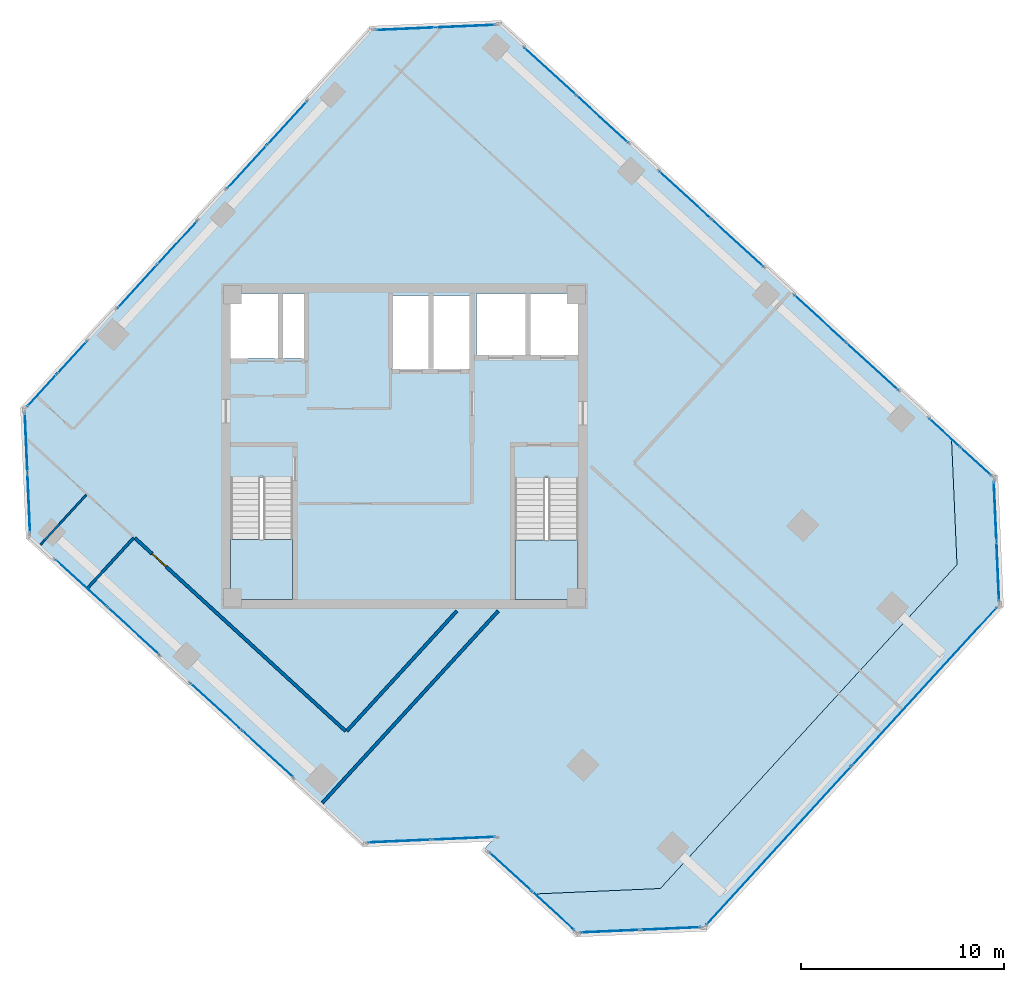
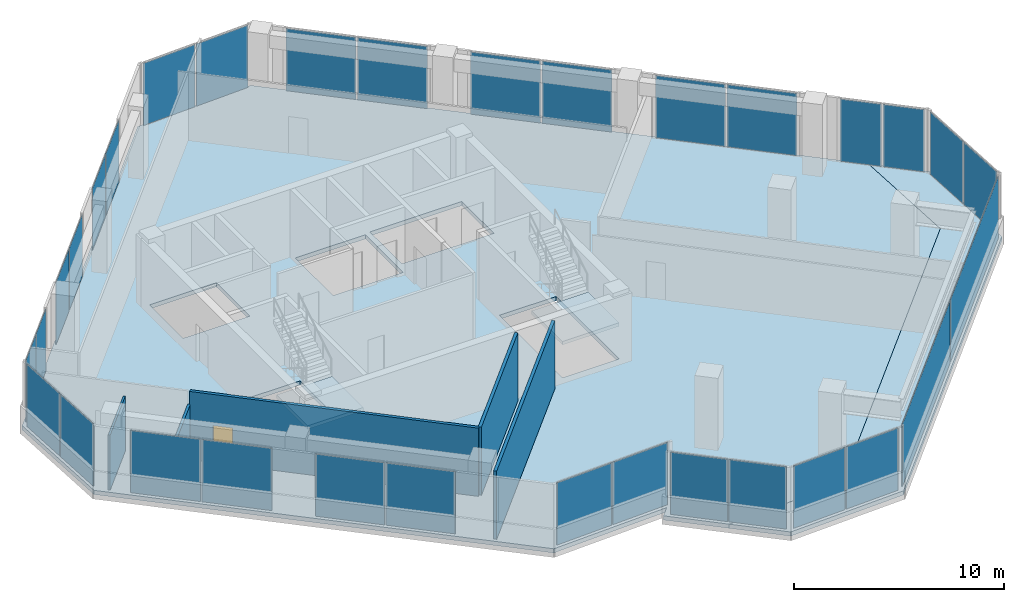
# One storey, part 13 of 18: 32 plates, 5 walls, 4 slabs, 1 door, 1 opening, 18 elements without a shape of their own.
"""IFC4 building model written with IfcOpenShell, lengths in metres."""

from ifc_helpers import new_model, si_unit, direction, frame, frame_2d, origin, origin_2d, place, context, subcontext, project, spatial, polyline, rectangle, outline, extrude, source, transform, mapped, material, layer, layer_set, type_object, element, fill, aggregate, save


model = new_model("IFC4")

# Units and contexts
model_context = context("Model", 3, precision=1e-05, world=origin(), true_north=direction((0.0, 1.0)))
body_context = subcontext(model_context, "Body", "Model", "MODEL_VIEW")
ifc_project = project(units=[si_unit("LENGTHUNIT", "METRE"), si_unit("AREAUNIT", "SQUARE_METRE"), si_unit("VOLUMEUNIT", "CUBIC_METRE"), si_unit("PLANEANGLEUNIT", "RADIAN"), si_unit("MASSUNIT", "GRAM", prefix="KILO")], contexts=[model_context])

# Site, building, storey
site_placement = place(None, origin())
site = spatial("IfcSite", under=ifc_project, at=site_placement, CompositionType="ELEMENT")
building_placement = place(site_placement, origin())
building = spatial("IfcBuilding", under=site, at=building_placement, Name="Torre Montelarca", CompositionType="ELEMENT")
storey_placement = place(building_placement, frame((0.0, 0.0, 233.199951171875)))
storey = spatial("IfcBuildingStorey", under=building, at=storey_placement, Name="L52", CompositionType="ELEMENT", Elevation=233.199951171875)

# Slabs
ifc_material_1 = material(Name="Concrete C40/50", Category="concrete")
ifc_layer_1 = layer(ifc_material_1, 0.239990234375, Name="Concrete C40/50", Category="concrete")
ifc_layer_set_1 = layer_set([ifc_layer_1], Name="Concrete C40/50")
slab_type_1 = type_object("IfcSlabType", Name="SL-FLR-240", PredefinedType="FLOOR", material=ifc_layer_set_1)
slab_1_placement = place(storey_placement, frame((0.0, 0.0, -0.239990234375)))
element("IfcSlab", 1, at=slab_1_placement, inside=storey, type_object=slab_type_1, Name="L52 Structural Floor Slab", PredefinedType="FLOOR", context=body_context, shape_type="SweptSolid", body=[
    extrude(outline(polyline([(15.9873046875, 12.3662109375), (22.34521484375, 12.643798828125), (21.872314453125, 12.127685546875), (24.2314453125, 9.9658203125), (30.58935546875, 10.243408203125), (45.18212890625, 26.16845703125), (44.904541015625, 32.5263671875), (22.71240234375, 52.86181640625), (16.3544921875, 52.583984375), (-0.805419921875, 33.857177734375), (-0.52783203125, 27.499267578125), (15.9873046875, 12.3662109375)]), holes=[polyline([(26.550048828125, 24.449951171875), (23.43994140625, 24.449951171875), (23.43994140625, 30.429931640625), (26.550048828125, 30.429931640625), (26.550048828125, 24.449951171875)]), polyline([(12.5, 24.449951171875), (9.449951171875, 24.449951171875), (9.449951171875, 30.4599609375), (12.5, 30.4599609375), (12.5, 24.449951171875)]), polyline([(21.25, 39.39990234375), (21.25, 35.800048828125), (17.39990234375, 35.800048828125), (17.39990234375, 39.39990234375), (21.25, 39.39990234375)]), polyline([(13.1201171875, 36.300048828125), (9.449951171875, 36.300048828125), (9.449951171875, 39.5), (13.1201171875, 39.5), (13.1201171875, 36.300048828125)]), polyline([(26.60009765625, 36.449951171875), (21.550048828125, 36.449951171875), (21.550048828125, 39.5), (26.60009765625, 39.5), (26.60009765625, 36.449951171875)])]), origin(), (0.0, 0.0, 1.0), 0.239990234375),
])
slab_2_placement = place(storey_placement, frame((0.0, 0.0, -0.239990234375)))
element("IfcSlab", 2, at=slab_2_placement, inside=storey, type_object=slab_type_1, Name="L52 Sliding Tray Winter Garden Floor Slab E1", PredefinedType="FLOOR", context=body_context, shape_type="SweptSolid", body=[
    extrude(outline(polyline([(44.904541015625, 32.5263671875), (45.18212890625, 26.16845703125), (30.58935546875, 10.243408203125), (24.2314453125, 9.9658203125), (26.443359375, 7.93896484375), (32.80126953125, 8.216552734375), (47.39404296875, 24.1416015625), (47.116455078125, 30.49951171875), (44.904541015625, 32.5263671875)])), origin(), (0.0, 0.0, 1.0), 0.239990234375),
])

# Stair, slab
stair_type_1 = type_object("IfcStairType", Name="ST-CORE-ST1", PredefinedType="HALF_TURN_STAIR", material=ifc_material_1)
stair_1_placement = place(storey_placement, origin())
stair_1 = element("IfcStair", 3, at=stair_1_placement, inside=storey, type_object=stair_type_1, Name="L52 Protected Exit Stair ST1", PredefinedType="HALF_TURN_STAIR")
ifc_layer_2 = layer(ifc_material_1, 0.199951171875, Name="Concrete C40/50", Category="concrete")
ifc_layer_set_2 = layer_set([ifc_layer_2], Name="Concrete C40/50")
slab_type_2 = type_object("IfcSlabType", Name="SL-ST-LAND-ST1", PredefinedType="LANDING", material=ifc_layer_set_2)
slab_3_placement = place(storey_placement, frame((0.0, 0.0, 1.900146484375)))
slab_3 = element("IfcSlab", 4, at=slab_3_placement, type_object=slab_type_2, Name="ST1 landing 1", PredefinedType="LANDING", context=body_context, shape_type="SweptSolid", body=[
    extrude(outline(polyline([(9.449951171875, 27.419921875), (9.449951171875, 24.449951171875), (12.5, 24.449951171875), (12.5, 27.419921875), (9.449951171875, 27.419921875)])), origin(), (0.0, 0.0, 1.0), 0.199951171875),
])
aggregate(stair_1, [slab_3])

stair_type_2 = type_object("IfcStairType", Name="ST-CORE-ST2", PredefinedType="HALF_TURN_STAIR", material=ifc_material_1)
stair_2_placement = place(storey_placement, origin())
stair_2 = element("IfcStair", 5, at=stair_2_placement, inside=storey, type_object=stair_type_2, Name="L52 Protected Exit Stair ST2", PredefinedType="HALF_TURN_STAIR")
ifc_layer_3 = layer(ifc_material_1, 0.199951171875, Name="Concrete C40/50", Category="concrete")
ifc_layer_set_3 = layer_set([ifc_layer_3], Name="Concrete C40/50")
slab_type_3 = type_object("IfcSlabType", Name="SL-ST-LAND-ST2", PredefinedType="LANDING", material=ifc_layer_set_3)
slab_4_placement = place(storey_placement, frame((0.0, 0.0, 1.900146484375)))
slab_4 = element("IfcSlab", 6, at=slab_4_placement, type_object=slab_type_3, Name="ST2 landing 1", PredefinedType="LANDING", context=body_context, shape_type="SweptSolid", body=[
    extrude(outline(polyline([(23.43994140625, 27.389892578125), (23.43994140625, 24.449951171875), (26.550048828125, 24.449951171875), (26.550048828125, 27.389892578125), (23.43994140625, 27.389892578125)])), origin(), (0.0, 0.0, 1.0), 0.199951171875),
])
aggregate(stair_2, [slab_4])

# Curtain wall, plates
ifc_material_2 = material(Name="Insulated low-E laminated glass", Category="glass")
curtain_wall_type = type_object("IfcCurtainWallType", Name="CW-SYS-Z3", PredefinedType="USERDEFINED", material=ifc_material_2)
curtain_wall_1_placement = place(storey_placement, origin())
curtain_wall_1 = element("IfcCurtainWall", 7, at=curtain_wall_1_placement, inside=storey, type_object=curtain_wall_type, Name="L52 Curtain Wall Run CW-T3-L52-E01-B1", ObjectType="UNITISED GLAZING", PredefinedType="USERDEFINED")
ifc_layer_4 = layer(ifc_material_2, 0.031982421875, Name="Insulated low-E laminated glass", Category="glass")
ifc_layer_set_4 = layer_set([ifc_layer_4], Name="Insulated low-E laminated glass")
plate_type = type_object("IfcPlateType", Name="CWP-GLZ-32", PredefinedType="CURTAIN_PANEL", material=ifc_layer_set_4)
shared_shape_1 = source(origin(), body_context, "Body", "SweptSolid", [
    extrude(rectangle(XDim=3.407470703125, YDim=0.031982421875, at=origin_2d()), origin(), (0.0, 0.0, 1.0), 3.610107421875),
])
plate_1_placement = place(storey_placement, frame((2.110107421875, 25.25830078125, 0.05517578125), z_axis=(0.0, 0.0, 1.0), x_axis=(0.737285611859, -0.675581176874, 0.0)))
plate_1 = element("IfcPlate", 8, at=plate_1_placement, type_object=plate_type, Name="CW panel 1.1", PredefinedType="CURTAIN_PANEL", context=body_context, shape_type="MappedRepresentation", body=[
    mapped(shared_shape_1, transform((0.0, 0.0, 0.0), scale=1.0)),
])
plate_2_placement = place(storey_placement, frame((4.677734375, 22.90576171875, 0.05517578125), z_axis=(0.0, 0.0, 1.0), x_axis=(0.737285611859, -0.675581176874, 0.0)))
plate_2 = element("IfcPlate", 9, at=plate_2_placement, type_object=plate_type, Name="CW panel 2.1", PredefinedType="CURTAIN_PANEL", context=body_context, shape_type="MappedRepresentation", body=[
    mapped(shared_shape_1, transform((0.0, 0.0, 0.0), scale=1.0)),
])
aggregate(curtain_wall_1, [plate_1, plate_2])

curtain_wall_2_placement = place(storey_placement, origin())
curtain_wall_2 = element("IfcCurtainWall", 10, at=curtain_wall_2_placement, inside=storey, type_object=curtain_wall_type, Name="L52 Curtain Wall Run CW-T3-L52-E08-B2", ObjectType="UNITISED GLAZING", PredefinedType="USERDEFINED")
plate_3_placement = place(storey_placement, frame((41.01318359375, 35.915771484375, 0.05517578125), z_axis=(0.0, 0.0, 1.0), x_axis=(-0.737279128668, 0.67558825214, 0.0)))
plate_3 = element("IfcPlate", 11, at=plate_3_placement, type_object=plate_type, Name="CW panel 1.1", PredefinedType="CURTAIN_PANEL", context=body_context, shape_type="MappedRepresentation", body=[
    mapped(shared_shape_1, transform((0.0, 0.0, 0.0), scale=1.0)),
])
plate_4_placement = place(storey_placement, frame((38.44580078125, 38.2685546875, 0.05517578125), z_axis=(0.0, 0.0, 1.0), x_axis=(-0.737279128668, 0.67558825214, 0.0)))
plate_4 = element("IfcPlate", 12, at=plate_4_placement, type_object=plate_type, Name="CW panel 2.1", PredefinedType="CURTAIN_PANEL", context=body_context, shape_type="MappedRepresentation", body=[
    mapped(shared_shape_1, transform((0.0, 0.0, 0.0), scale=1.0)),
])
aggregate(curtain_wall_2, [plate_3, plate_4])

curtain_wall_3_placement = place(storey_placement, origin())
curtain_wall_3 = element("IfcCurtainWall", 13, at=curtain_wall_3_placement, inside=storey, type_object=curtain_wall_type, Name="L52 Curtain Wall Run CW-T3-L52-E08-B3", ObjectType="UNITISED GLAZING", PredefinedType="USERDEFINED")
plate_5_placement = place(storey_placement, frame((34.377685546875, 41.99609375, 0.05517578125), z_axis=(0.0, 0.0, 1.0), x_axis=(-0.737279128668, 0.67558825214, 0.0)))
plate_5 = element("IfcPlate", 14, at=plate_5_placement, type_object=plate_type, Name="CW panel 1.1", PredefinedType="CURTAIN_PANEL", context=body_context, shape_type="MappedRepresentation", body=[
    mapped(shared_shape_1, transform((0.0, 0.0, 0.0), scale=1.0)),
])
plate_6_placement = place(storey_placement, frame((31.810302734375, 44.348876953125, 0.05517578125), z_axis=(0.0, 0.0, 1.0), x_axis=(-0.737279128668, 0.67558825214, 0.0)))
plate_6 = element("IfcPlate", 15, at=plate_6_placement, type_object=plate_type, Name="CW panel 2.1", PredefinedType="CURTAIN_PANEL", context=body_context, shape_type="MappedRepresentation", body=[
    mapped(shared_shape_1, transform((0.0, 0.0, 0.0), scale=1.0)),
])
aggregate(curtain_wall_3, [plate_5, plate_6])

curtain_wall_4_placement = place(storey_placement, origin())
curtain_wall_4 = element("IfcCurtainWall", 16, at=curtain_wall_4_placement, inside=storey, type_object=curtain_wall_type, Name="L52 Curtain Wall Run CW-T3-L52-E08-B4", ObjectType="UNITISED GLAZING", PredefinedType="USERDEFINED")
plate_7_placement = place(storey_placement, frame((27.7421875, 48.076416015625, 0.05517578125), z_axis=(0.0, 0.0, 1.0), x_axis=(-0.737272053401, 0.6755959734, 0.0)))
plate_7 = element("IfcPlate", 17, at=plate_7_placement, type_object=plate_type, Name="CW panel 1.1", PredefinedType="CURTAIN_PANEL", context=body_context, shape_type="MappedRepresentation", body=[
    mapped(shared_shape_1, transform((0.0, 0.0, 0.0), scale=1.0)),
])
plate_8_placement = place(storey_placement, frame((25.1748046875, 50.42919921875, 0.05517578125), z_axis=(0.0, 0.0, 1.0), x_axis=(-0.737272053401, 0.6755959734, 0.0)))
plate_8 = element("IfcPlate", 18, at=plate_8_placement, type_object=plate_type, Name="CW panel 2.1", PredefinedType="CURTAIN_PANEL", context=body_context, shape_type="MappedRepresentation", body=[
    mapped(shared_shape_1, transform((0.0, 0.0, 0.0), scale=1.0)),
])
aggregate(curtain_wall_4, [plate_7, plate_8])

curtain_wall_5_placement = place(storey_placement, origin())
curtain_wall_5 = element("IfcCurtainWall", 19, at=curtain_wall_5_placement, inside=storey, type_object=curtain_wall_type, Name="L52 Curtain Wall Run CW-T3-L52-E02-B1", ObjectType="UNITISED GLAZING", PredefinedType="USERDEFINED")
shared_shape_2 = source(origin(), body_context, "Body", "SweptSolid", [
    extrude(rectangle(XDim=3.08740234375, YDim=0.031982421875, at=origin_2d()), origin(), (0.0, 0.0, 1.0), 3.610107421875),
])
plate_9_placement = place(storey_placement, frame((17.764404296875, 12.57373046875, 0.05517578125), z_axis=(0.0, 0.0, 1.0), x_axis=(0.999047974417, 0.043625048009, 0.0)))
plate_9 = element("IfcPlate", 20, at=plate_9_placement, type_object=plate_type, Name="CW panel 1.1", PredefinedType="CURTAIN_PANEL", context=body_context, shape_type="MappedRepresentation", body=[
    mapped(shared_shape_2, transform((0.0, 0.0, 0.0), scale=1.0)),
])
plate_10_placement = place(storey_placement, frame((20.923828125, 12.711669921875, 0.05517578125), z_axis=(0.0, 0.0, 1.0), x_axis=(0.999047974417, 0.043625048009, 0.0)))
plate_10 = element("IfcPlate", 21, at=plate_10_placement, type_object=plate_type, Name="CW panel 2.1", PredefinedType="CURTAIN_PANEL", context=body_context, shape_type="MappedRepresentation", body=[
    mapped(shared_shape_2, transform((0.0, 0.0, 0.0), scale=1.0)),
])
aggregate(curtain_wall_5, [plate_9, plate_10])

curtain_wall_6_placement = place(storey_placement, origin())
curtain_wall_6 = element("IfcCurtainWall", 22, at=curtain_wall_6_placement, inside=storey, type_object=curtain_wall_type, Name="L52 Curtain Wall Run CW-T3-L52-E05-B1", ObjectType="UNITISED GLAZING", PredefinedType="USERDEFINED")
shared_shape_3 = source(origin(), body_context, "Body", "SweptSolid", [
    extrude(rectangle(XDim=2.903564453125, YDim=0.031982421875, at=origin_2d()), origin(), (0.0, 0.0, 1.0), 3.610107421875),
])
plate_11_placement = place(storey_placement, frame((28.128662109375, 8.142578125, 0.05517578125), z_axis=(0.0, 0.0, 1.0), x_axis=(0.999048385364, 0.043615635968, 0.0)))
plate_11 = element("IfcPlate", 23, at=plate_11_placement, type_object=plate_type, Name="CW panel 1.1", PredefinedType="CURTAIN_PANEL", context=body_context, shape_type="MappedRepresentation", body=[
    mapped(shared_shape_3, transform((0.0, 0.0, 0.0), scale=1.0)),
])
plate_12_placement = place(storey_placement, frame((31.1044921875, 8.272705078125, 0.05517578125), z_axis=(0.0, 0.0, 1.0), x_axis=(0.999048385364, 0.043615635968, 0.0)))
plate_12 = element("IfcPlate", 24, at=plate_12_placement, type_object=plate_type, Name="CW panel 2.1", PredefinedType="CURTAIN_PANEL", context=body_context, shape_type="MappedRepresentation", body=[
    mapped(shared_shape_3, transform((0.0, 0.0, 0.0), scale=1.0)),
])
aggregate(curtain_wall_6, [plate_11, plate_12])

curtain_wall_7_placement = place(storey_placement, origin())
curtain_wall_7 = element("IfcCurtainWall", 25, at=curtain_wall_7_placement, inside=storey, type_object=curtain_wall_type, Name="L52 Curtain Wall Run CW-T3-L52-E07-B1", ObjectType="UNITISED GLAZING", PredefinedType="USERDEFINED")
plate_13_placement = place(storey_placement, frame((47.190185546875, 25.8271484375, 0.05517578125), z_axis=(0.0, 0.0, 1.0), x_axis=(-0.043615635968, 0.999048385364, 0.0)))
plate_13 = element("IfcPlate", 26, at=plate_13_placement, type_object=plate_type, Name="CW panel 1.1", PredefinedType="CURTAIN_PANEL", context=body_context, shape_type="MappedRepresentation", body=[
    mapped(shared_shape_3, transform((0.0, 0.0, 0.0), scale=1.0)),
])
plate_14_placement = place(storey_placement, frame((47.060302734375, 28.802734375, 0.05517578125), z_axis=(0.0, 0.0, 1.0), x_axis=(-0.043615635968, 0.999048385364, 0.0)))
plate_14 = element("IfcPlate", 27, at=plate_14_placement, type_object=plate_type, Name="CW panel 2.1", PredefinedType="CURTAIN_PANEL", context=body_context, shape_type="MappedRepresentation", body=[
    mapped(shared_shape_3, transform((0.0, 0.0, 0.0), scale=1.0)),
])
aggregate(curtain_wall_7, [plate_13, plate_14])

curtain_wall_8_placement = place(storey_placement, origin())
curtain_wall_8 = element("IfcCurtainWall", 28, at=curtain_wall_8_placement, inside=storey, type_object=curtain_wall_type, Name="L52 Curtain Wall Run CW-T3-L52-E09-B1", ObjectType="UNITISED GLAZING", PredefinedType="USERDEFINED")
plate_15_placement = place(storey_placement, frame((21.027099609375, 52.657958984375, 0.05517578125), z_axis=(0.0, 0.0, 1.0), x_axis=(-0.999048385364, -0.043615635968, 0.0)))
plate_15 = element("IfcPlate", 29, at=plate_15_placement, type_object=plate_type, Name="CW panel 1.1", PredefinedType="CURTAIN_PANEL", context=body_context, shape_type="MappedRepresentation", body=[
    mapped(shared_shape_3, transform((0.0, 0.0, 0.0), scale=1.0)),
])
plate_16_placement = place(storey_placement, frame((18.05126953125, 52.528076171875, 0.05517578125), z_axis=(0.0, 0.0, 1.0), x_axis=(-0.999048385364, -0.043615635968, 0.0)))
plate_16 = element("IfcPlate", 30, at=plate_16_placement, type_object=plate_type, Name="CW panel 2.1", PredefinedType="CURTAIN_PANEL", context=body_context, shape_type="MappedRepresentation", body=[
    mapped(shared_shape_3, transform((0.0, 0.0, 0.0), scale=1.0)),
])
aggregate(curtain_wall_8, [plate_15, plate_16])

curtain_wall_9_placement = place(storey_placement, origin())
curtain_wall_9 = element("IfcCurtainWall", 31, at=curtain_wall_9_placement, inside=storey, type_object=curtain_wall_type, Name="L52 Curtain Wall Run CW-T3-L52-E11-B1", ObjectType="UNITISED GLAZING", PredefinedType="USERDEFINED")
plate_17_placement = place(storey_placement, frame((-0.601806640625, 32.171875, 0.05517578125), z_axis=(0.0, 0.0, 1.0), x_axis=(0.043615635968, -0.999048385364, 0.0)))
plate_17 = element("IfcPlate", 32, at=plate_17_placement, type_object=plate_type, Name="CW panel 1.1", PredefinedType="CURTAIN_PANEL", context=body_context, shape_type="MappedRepresentation", body=[
    mapped(shared_shape_3, transform((0.0, 0.0, 0.0), scale=1.0)),
])
plate_18_placement = place(storey_placement, frame((-0.4716796875, 29.196044921875, 0.05517578125), z_axis=(0.0, 0.0, 1.0), x_axis=(0.043615635968, -0.999048385364, 0.0)))
plate_18 = element("IfcPlate", 33, at=plate_18_placement, type_object=plate_type, Name="CW panel 2.1", PredefinedType="CURTAIN_PANEL", context=body_context, shape_type="MappedRepresentation", body=[
    mapped(shared_shape_3, transform((0.0, 0.0, 0.0), scale=1.0)),
])
aggregate(curtain_wall_9, [plate_17, plate_18])

curtain_wall_10_placement = place(storey_placement, origin())
curtain_wall_10 = element("IfcCurtainWall", 34, at=curtain_wall_10_placement, inside=storey, type_object=curtain_wall_type, Name="L52 Curtain Wall Run CW-T3-L52-E04-B1", ObjectType="UNITISED GLAZING", PredefinedType="USERDEFINED")
shared_shape_4 = source(origin(), body_context, "Body", "SweptSolid", [
    extrude(rectangle(XDim=2.783447265625, YDim=0.031982421875, at=origin_2d()), origin(), (0.0, 0.0, 1.0), 3.610107421875),
])
plate_19_placement = place(storey_placement, frame((23.219970703125, 11.069091796875, 0.05517578125), z_axis=(0.0, 0.0, 1.0), x_axis=(0.737293871704, -0.675572162502, 0.0)))
plate_19 = element("IfcPlate", 35, at=plate_19_placement, type_object=plate_type, Name="CW panel 1.1", PredefinedType="CURTAIN_PANEL", context=body_context, shape_type="MappedRepresentation", body=[
    mapped(shared_shape_4, transform((0.0, 0.0, 0.0), scale=1.0)),
])
plate_20_placement = place(storey_placement, frame((25.327392578125, 9.1376953125, 0.05517578125), z_axis=(0.0, 0.0, 1.0), x_axis=(0.737293871704, -0.675572162502, 0.0)))
plate_20 = element("IfcPlate", 36, at=plate_20_placement, type_object=plate_type, Name="CW panel 2.1", PredefinedType="CURTAIN_PANEL", context=body_context, shape_type="MappedRepresentation", body=[
    mapped(shared_shape_4, transform((0.0, 0.0, 0.0), scale=1.0)),
])
aggregate(curtain_wall_10, [plate_19, plate_20])

curtain_wall_11_placement = place(storey_placement, origin())
curtain_wall_11 = element("IfcCurtainWall", 37, at=curtain_wall_11_placement, inside=storey, type_object=curtain_wall_type, Name="L52 Curtain Wall Run CW-T3-L52-E06-B1", ObjectType="UNITISED GLAZING", PredefinedType="USERDEFINED")
shared_shape_5 = source(origin(), body_context, "Body", "SweptSolid", [
    extrude(rectangle(XDim=10.521728515625, YDim=0.031982421875, at=origin_2d()), origin(), (0.0, 0.0, 1.0), 3.610107421875),
])
plate_21_placement = place(storey_placement, frame((36.42236328125, 12.360595703125, 0.05517578125), z_axis=(0.0, 0.0, 1.0), x_axis=(0.675589843659, 0.737277670314, 0.0)))
plate_21 = element("IfcPlate", 38, at=plate_21_placement, type_object=plate_type, Name="CW panel 1.1", PredefinedType="CURTAIN_PANEL", context=body_context, shape_type="MappedRepresentation", body=[
    mapped(shared_shape_5, transform((0.0, 0.0, 0.0), scale=1.0)),
])
plate_22_placement = place(storey_placement, frame((43.581298828125, 20.17333984375, 0.05517578125), z_axis=(0.0, 0.0, 1.0), x_axis=(0.675589843659, 0.737277670314, 0.0)))
plate_22 = element("IfcPlate", 39, at=plate_22_placement, type_object=plate_type, Name="CW panel 2.1", PredefinedType="CURTAIN_PANEL", context=body_context, shape_type="MappedRepresentation", body=[
    mapped(shared_shape_5, transform((0.0, 0.0, 0.0), scale=1.0)),
])
aggregate(curtain_wall_11, [plate_21, plate_22])

curtain_wall_12_placement = place(storey_placement, origin())
curtain_wall_12 = element("IfcCurtainWall", 40, at=curtain_wall_12_placement, inside=storey, type_object=curtain_wall_type, Name="L52 Curtain Wall Run CW-T3-L52-E08-B1", ObjectType="UNITISED GLAZING", PredefinedType="USERDEFINED")
shared_shape_6 = source(origin(), body_context, "Body", "SweptSolid", [
    extrude(rectangle(XDim=2.0146484375, YDim=0.031982421875, at=origin_2d()), origin(), (0.0, 0.0, 1.0), 3.610107421875),
])
plate_23_placement = place(storey_placement, frame((46.1083984375, 31.2470703125, 0.05517578125), z_axis=(0.0, 0.0, 1.0), x_axis=(-0.737284872213, 0.675581984074, 0.0)))
plate_23 = element("IfcPlate", 41, at=plate_23_placement, type_object=plate_type, Name="CW panel 1.1", PredefinedType="CURTAIN_PANEL", context=body_context, shape_type="MappedRepresentation", body=[
    mapped(shared_shape_6, transform((0.0, 0.0, 0.0), scale=1.0)),
])
plate_24_placement = place(storey_placement, frame((44.56787109375, 32.65869140625, 0.05517578125), z_axis=(0.0, 0.0, 1.0), x_axis=(-0.737284872213, 0.675581984074, 0.0)))
plate_24 = element("IfcPlate", 42, at=plate_24_placement, type_object=plate_type, Name="CW panel 2.1", PredefinedType="CURTAIN_PANEL", context=body_context, shape_type="MappedRepresentation", body=[
    mapped(shared_shape_6, transform((0.0, 0.0, 0.0), scale=1.0)),
])
aggregate(curtain_wall_12, [plate_23, plate_24])

curtain_wall_13_placement = place(storey_placement, origin())
curtain_wall_13 = element("IfcCurtainWall", 43, at=curtain_wall_13_placement, inside=storey, type_object=curtain_wall_type, Name="L52 Curtain Wall Run CW-T3-L52-E01-B2", ObjectType="UNITISED GLAZING", PredefinedType="USERDEFINED")
shared_shape_7 = source(origin(), body_context, "Body", "SweptSolid", [
    extrude(rectangle(XDim=3.369873046875, YDim=0.031982421875, at=origin_2d()), origin(), (0.0, 0.0, 1.0), 3.610107421875),
])
plate_25_placement = place(storey_placement, frame((8.731689453125, 19.190673828125, 0.05517578125), z_axis=(0.0, 0.0, 1.0), x_axis=(0.737287623703, -0.675578981271, 0.0)))
plate_25 = element("IfcPlate", 44, at=plate_25_placement, type_object=plate_type, Name="CW panel 1.1", PredefinedType="CURTAIN_PANEL", context=body_context, shape_type="MappedRepresentation", body=[
    mapped(shared_shape_7, transform((0.0, 0.0, 0.0), scale=1.0)),
])
plate_26_placement = place(storey_placement, frame((11.271728515625, 16.863525390625, 0.05517578125), z_axis=(0.0, 0.0, 1.0), x_axis=(0.737287623703, -0.675578981271, 0.0)))
plate_26 = element("IfcPlate", 45, at=plate_26_placement, type_object=plate_type, Name="CW panel 2.1", PredefinedType="CURTAIN_PANEL", context=body_context, shape_type="MappedRepresentation", body=[
    mapped(shared_shape_7, transform((0.0, 0.0, 0.0), scale=1.0)),
])
aggregate(curtain_wall_13, [plate_25, plate_26])

curtain_wall_14_placement = place(storey_placement, origin())
curtain_wall_14 = element("IfcCurtainWall", 46, at=curtain_wall_14_placement, inside=storey, type_object=curtain_wall_type, Name="L52 Curtain Wall Run CW-T3-L52-E10-B1", ObjectType="UNITISED GLAZING", PredefinedType="USERDEFINED")
shared_shape_8 = source(origin(), body_context, "Body", "SweptSolid", [
    extrude(rectangle(XDim=2.857421875, YDim=0.031982421875, at=origin_2d()), origin(), (0.0, 0.0, 1.0), 3.610107421875),
])
plate_27_placement = place(storey_placement, frame((12.239013671875, 47.900146484375, 0.05517578125), z_axis=(0.0, 0.0, 1.0), x_axis=(-0.675591969811, -0.737275722052, 0.0)))
plate_27 = element("IfcPlate", 47, at=plate_27_placement, type_object=plate_type, Name="CW panel 1.1", PredefinedType="CURTAIN_PANEL", context=body_context, shape_type="MappedRepresentation", body=[
    mapped(shared_shape_8, transform((0.0, 0.0, 0.0), scale=1.0)),
])
plate_28_placement = place(storey_placement, frame((10.2578125, 45.73828125, 0.05517578125), z_axis=(0.0, 0.0, 1.0), x_axis=(-0.675591969811, -0.737275722052, 0.0)))
plate_28 = element("IfcPlate", 48, at=plate_28_placement, type_object=plate_type, Name="CW panel 2.1", PredefinedType="CURTAIN_PANEL", context=body_context, shape_type="MappedRepresentation", body=[
    mapped(shared_shape_8, transform((0.0, 0.0, 0.0), scale=1.0)),
])
aggregate(curtain_wall_14, [plate_27, plate_28])

curtain_wall_15_placement = place(storey_placement, origin())
curtain_wall_15 = element("IfcCurtainWall", 49, at=curtain_wall_15_placement, inside=storey, type_object=curtain_wall_type, Name="L52 Curtain Wall Run CW-T3-L52-E10-B2", ObjectType="UNITISED GLAZING", PredefinedType="USERDEFINED")
shared_shape_9 = source(origin(), body_context, "Body", "SweptSolid", [
    extrude(rectangle(XDim=2.844970703125, YDim=0.031982421875, at=origin_2d()), origin(), (0.0, 0.0, 1.0), 3.610107421875),
])
plate_29_placement = place(storey_placement, frame((6.838623046875, 42.006591796875, 0.05517578125), z_axis=(0.0, 0.0, 1.0), x_axis=(-0.675596767666, -0.737271325578, 0.0)))
plate_29 = element("IfcPlate", 50, at=plate_29_placement, type_object=plate_type, Name="CW panel 1.1", PredefinedType="CURTAIN_PANEL", context=body_context, shape_type="MappedRepresentation", body=[
    mapped(shared_shape_9, transform((0.0, 0.0, 0.0), scale=1.0)),
])
plate_30_placement = place(storey_placement, frame((4.86572265625, 39.853759765625, 0.05517578125), z_axis=(0.0, 0.0, 1.0), x_axis=(-0.675596767666, -0.737271325578, 0.0)))
plate_30 = element("IfcPlate", 51, at=plate_30_placement, type_object=plate_type, Name="CW panel 2.1", PredefinedType="CURTAIN_PANEL", context=body_context, shape_type="MappedRepresentation", body=[
    mapped(shared_shape_9, transform((0.0, 0.0, 0.0), scale=1.0)),
])
aggregate(curtain_wall_15, [plate_29, plate_30])

curtain_wall_16_placement = place(storey_placement, origin())
curtain_wall_16 = element("IfcCurtainWall", 52, at=curtain_wall_16_placement, inside=storey, type_object=curtain_wall_type, Name="L52 Curtain Wall Run CW-T3-L52-E10-B3", ObjectType="UNITISED GLAZING", PredefinedType="USERDEFINED")
shared_shape_10 = source(origin(), body_context, "Body", "SweptSolid", [
    extrude(rectangle(XDim=2.127197265625, YDim=0.031982421875, at=origin_2d()), origin(), (0.0, 0.0, 1.0), 3.610107421875),
])
plate_31_placement = place(storey_placement, frame((1.659423828125, 36.354736328125, 0.05517578125), z_axis=(0.0, 0.0, 1.0), x_axis=(-0.675580049927, -0.737286644488, 0.0)))
plate_31 = element("IfcPlate", 53, at=plate_31_placement, type_object=plate_type, Name="CW panel 1.1", PredefinedType="CURTAIN_PANEL", context=body_context, shape_type="MappedRepresentation", body=[
    mapped(shared_shape_10, transform((0.0, 0.0, 0.0), scale=1.0)),
])
plate_32_placement = place(storey_placement, frame((0.171630859375, 34.73095703125, 0.05517578125), z_axis=(0.0, 0.0, 1.0), x_axis=(-0.675580049927, -0.737286644488, 0.0)))
plate_32 = element("IfcPlate", 54, at=plate_32_placement, type_object=plate_type, Name="CW panel 2.1", PredefinedType="CURTAIN_PANEL", context=body_context, shape_type="MappedRepresentation", body=[
    mapped(shared_shape_10, transform((0.0, 0.0, 0.0), scale=1.0)),
])
aggregate(curtain_wall_16, [plate_31, plate_32])

# Wall, opening, door
ifc_material_3 = material(Name="Gypsum plasterboard on steel stud", Category="steel")
ifc_layer_5 = layer(ifc_material_3, 0.159912109375, Name="Gypsum plasterboard on steel stud", Category="steel")
ifc_layer_set_5 = layer_set([ifc_layer_5], Name="Gypsum plasterboard on steel stud")
wall_type_1 = type_object("IfcWallType", Name="PW-FIRE-160", PredefinedType="PARTITIONING", material=ifc_layer_set_5)
wall_1_placement = place(storey_placement, frame((4.738525390625, 27.48876953125, 0.0), z_axis=(0.0, 0.0, 1.0), x_axis=(0.737276572642, -0.675591041558, 0.0)))
wall_1 = element("IfcWall", 55, at=wall_1_placement, inside=storey, type_object=wall_type_1, Name="L52 Interior Partition W-L52-SOCCN", PredefinedType="PARTITIONING", context=body_context, shape_type="SweptSolid", body=[
    extrude(rectangle(XDim=14.070068359375, YDim=0.159912109375, at=frame_2d((7.03515625, 0.0))), origin(), (0.0, 0.0, 1.0), 3.9599609375),
])
opening_placement = place(wall_1_placement, frame((1.14990234375, 0.0, 0.0)))
opening = element("IfcOpeningElement", 56, at=opening_placement, cuts=wall_1, Name="Opening FD-095", PredefinedType="OPENING", context=body_context, shape_type="SweptSolid", body=[
    extrude(rectangle(XDim=0.949951171875, YDim=2.14990234375, at=frame_2d((0.47509765625, 1.074951171875))), frame((0.0, 0.08984375, 0.0), z_axis=(0.0, -1.0, 0.0), x_axis=(1.0, 0.0, 0.0)), (0.0, 0.0, 1.0), 0.179931640625),
])
ifc_material_4 = material(Name="Timber fire-rated room door", Category="wood")
door_type = type_object("IfcDoorType", Name="DR-FIRE-095", OperationType="NOTDEFINED", PredefinedType="DOOR", material=ifc_material_4)
shared_shape_11 = source(origin(), body_context, "Body", "SweptSolid", [
    extrude(rectangle(XDim=0.949951171875, YDim=2.14990234375, at=frame_2d((0.47509765625, 1.074951171875))), frame((0.0, 0.02490234375, 0.0), z_axis=(0.0, -1.0, 0.0), x_axis=(1.0, 0.0, 0.0)), (0.0, 0.0, 1.0), 0.050048828125),
])
door_placement = place(opening_placement, origin())
door = element("IfcDoor", 57, at=door_placement, inside=storey, type_object=door_type, Name="L52 Interior Door 06", OperationType="SINGLE_SWING_RIGHT", OverallHeight=2.14990234375, OverallWidth=0.949951171875, PredefinedType="DOOR", context=body_context, shape_type="MappedRepresentation", body=[
    mapped(shared_shape_11, transform((0.0, 0.0, 0.0), scale=1.0)),
])
fill(opening, door)

# Walls
wall_2_placement = place(storey_placement, frame((15.16845703125, 17.985595703125, 0.0), z_axis=(0.0, 0.0, 1.0), x_axis=(0.675616954369, 0.737252827034, 0.0)))
element("IfcWall", 58, at=wall_2_placement, inside=storey, type_object=wall_type_1, Name="L52 Interior Partition W-L52-SOCCW3", PredefinedType="PARTITIONING", context=body_context, shape_type="SweptSolid", body=[
    extrude(rectangle(XDim=8.00927734375, YDim=0.159912109375, at=frame_2d((4.004638671875, 0.0))), origin(), (0.0, 0.0, 1.0), 3.9599609375),
])
wall_3_placement = place(storey_placement, frame((13.970703125, 14.4580078125, 0.0), z_axis=(0.0, 0.0, 1.0), x_axis=(0.675595861889, 0.737272155583, 0.0)))
element("IfcWall", 59, at=wall_3_placement, inside=storey, type_object=wall_type_1, Name="L52 Interior Partition W-L52-ECS", PredefinedType="PARTITIONING", context=body_context, shape_type="SweptSolid", body=[
    extrude(rectangle(XDim=12.793701171875, YDim=0.159912109375, at=frame_2d((6.39697265625, 0.0))), origin(), (0.0, 0.0, 1.0), 3.9599609375),
])
ifc_material_5 = material(Name="Acoustic laminated glass partition", Category="glass")
ifc_layer_6 = layer(ifc_material_5, 0.10009765625, Name="Acoustic laminated glass partition", Category="glass")
ifc_layer_set_6 = layer_set([ifc_layer_6], Name="Acoustic laminated glass partition")
wall_type_2 = type_object("IfcWallType", Name="PW-GLAZ-100", PredefinedType="PARTITIONING", material=ifc_layer_set_6)
wall_4_placement = place(storey_placement, frame((0.10986328125, 27.1591796875, 0.0), z_axis=(0.0, 0.0, 1.0), x_axis=(0.675605101048, 0.737263689217, 0.0)))
element("IfcWall", 60, at=wall_4_placement, inside=storey, type_object=wall_type_2, Name="L52 Interior Partition W-L52-WCD", PredefinedType="PARTITIONING", context=body_context, shape_type="SweptSolid", body=[
    extrude(rectangle(XDim=3.330078125, YDim=0.10009765625, at=frame_2d((1.6650390625, 0.0))), origin(), (0.0, 0.0, 1.0), 3.195068359375),
])
ifc_layer_7 = layer(ifc_material_3, 0.135009765625, Name="Gypsum plasterboard on steel stud", Category="steel")
ifc_layer_set_7 = layer_set([ifc_layer_7], Name="Gypsum plasterboard on steel stud")
wall_type_3 = type_object("IfcWallType", Name="PW-PART-135", PredefinedType="PARTITIONING", material=ifc_layer_set_7)
wall_5_placement = place(storey_placement, frame((2.432373046875, 25.031005859375, 0.0), z_axis=(0.0, 0.0, 1.0), x_axis=(0.675605101048, 0.737263689217, 0.0)))
element("IfcWall", 61, at=wall_5_placement, inside=storey, type_object=wall_type_3, Name="L52 Interior Partition W-L52-SWCDIV", PredefinedType="PARTITIONING", context=body_context, shape_type="SweptSolid", body=[
    extrude(rectangle(XDim=3.330078125, YDim=0.135009765625, at=frame_2d((1.6650390625, 0.0))), origin(), (0.0, 0.0, 1.0), 3.195068359375),
])

save(model, "model.ifc")
